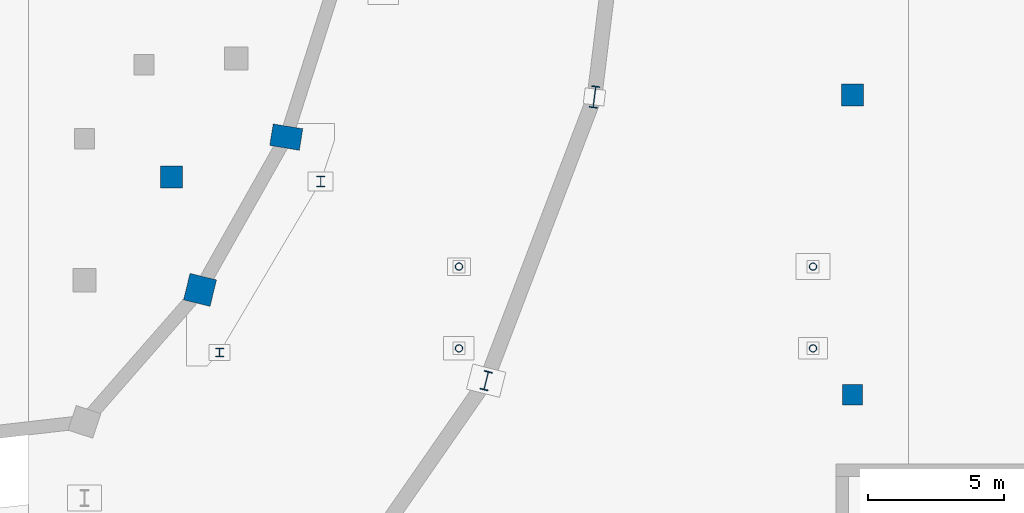
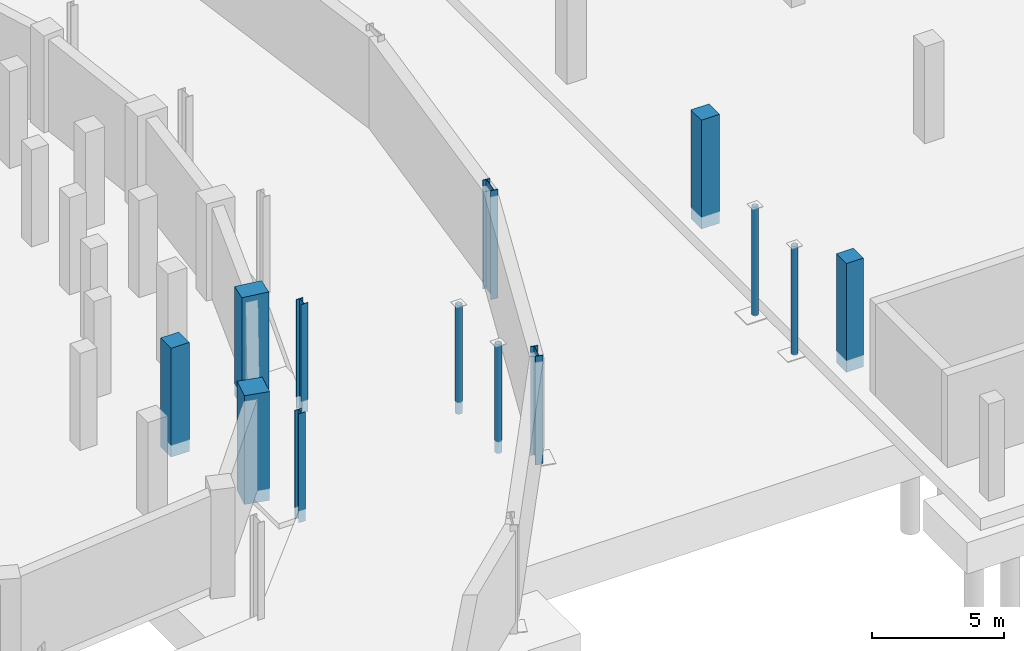
# One storey, part 28 of 55: 13 columns.
"""IFC4 building model written with IfcOpenShell, lengths in metres."""

from ifc_helpers import new_model, si_unit, direction, frame, origin, origin_2d, place, context, subcontext, project, spatial, rectangle, hollow_circle, i_section, extrude, material, material_profile, profile_set, type_object, element, save


model = new_model("IFC4")

# Units and contexts
model_context = context("Model", 3, precision=1e-05, world=origin(), true_north=direction((0.0, 1.0)))
body_context = subcontext(model_context, "Body", "Model", "MODEL_VIEW")
ifc_project = project(units=[si_unit("LENGTHUNIT", "METRE"), si_unit("AREAUNIT", "SQUARE_METRE"), si_unit("VOLUMEUNIT", "CUBIC_METRE"), si_unit("PLANEANGLEUNIT", "RADIAN"), si_unit("MASSUNIT", "GRAM", prefix="KILO")], contexts=[model_context])

# Site, building, storey
site_placement = place(None, origin())
site = spatial("IfcSite", under=ifc_project, at=site_placement, CompositionType="ELEMENT")
building_placement = place(site_placement, origin())
building = spatial("IfcBuilding", under=site, at=building_placement, Name="Sohan Crest Arena", CompositionType="ELEMENT")
storey_placement = place(building_placement, frame((0.0, 0.0, -4.5)))
storey = spatial("IfcBuildingStorey", under=building, at=storey_placement, Name="B1", CompositionType="ELEMENT", Elevation=-4.5)

# Columns
ifc_material_1 = material(Name="Concrete C40/50", Category="concrete")
ifc_material_profile_1 = material_profile(ifc_material_1, rectangle(XDim=0.75, YDim=0.75, at=origin_2d()), Name="RC 750x750")
ifc_profile_set_1 = profile_set([ifc_material_profile_1], Name="Concrete C40/50")
column_type_1 = type_object("IfcColumnType", Name="STR-COL-C04", PredefinedType="COLUMN", material=ifc_profile_set_1)
column_1_placement = place(storey_placement, frame((196.199951171875, 56.0, -0.550048828125), z_axis=(0.0, 0.0, 1.0), x_axis=(1.0, 0.0, 0.0)))
element("IfcColumn", 1, at=column_1_placement, inside=storey, type_object=column_type_1, Name="Structural column COL-V4S-12-B1", PredefinedType="COLUMN", context=body_context, shape_type="SweptSolid", body=[
    extrude(rectangle(XDim=0.75, YDim=0.75, at=origin_2d()), origin(), (0.0, 0.0, 1.0), 5.050048828125),
])
ifc_material_profile_2 = material_profile(ifc_material_1, rectangle(XDim=0.800048828125, YDim=0.800048828125, at=origin_2d()), Name="RC 800x800")
ifc_profile_set_2 = profile_set([ifc_material_profile_2], Name="Concrete C40/50")
column_type_2 = type_object("IfcColumnType", Name="STR-COL-C05", PredefinedType="COLUMN", material=ifc_profile_set_2)
for number, where, z_axis, x_axis, name in (
    (2, (171.194091796875, 63.988037109375, -0.550048828125), (0.0, 0.0, 1.0), (1.0, 0.0, 0.0), "Structural column COL-V1M-21-B1"),
    (3, (196.199951171875, 67.0, -0.550048828125), (0.0, 0.0, 1.0), (1.0, 0.0, 0.0), "Structural column COL-V4S-13-B1"),
):
    element("IfcColumn", number, at=place(storey_placement, frame(where, z_axis=z_axis, x_axis=x_axis)), inside=storey, type_object=column_type_2, Name=name, PredefinedType="COLUMN", context=body_context, shape_type="SweptSolid", body=[
        extrude(rectangle(XDim=0.800048828125, YDim=0.800048828125, at=origin_2d()), origin(), (0.0, 0.0, 1.0), 5.050048828125),
    ])
ifc_material_profile_3 = material_profile(ifc_material_1, rectangle(XDim=1.0, YDim=1.0, at=origin_2d()), Name="RC 1000x1000")
ifc_profile_set_3 = profile_set([ifc_material_profile_3], Name="Concrete C40/50")
column_type_3 = type_object("IfcColumnType", Name="STR-COL-C09", PredefinedType="COLUMN", material=ifc_profile_set_3)
column_2_placement = place(storey_placement, frame((172.242919921875, 59.845947265625, -0.550048828125), z_axis=(0.0, 0.0, 1.0), x_axis=(-0.971549119998, 0.236838146066, 0.0)))
element("IfcColumn", 4, at=column_2_placement, inside=storey, type_object=column_type_3, Name="Structural column COL-V1R-21-B1", PredefinedType="COLUMN", context=body_context, shape_type="SweptSolid", body=[
    extrude(rectangle(XDim=1.0, YDim=1.0, at=origin_2d()), origin(), (0.0, 0.0, 1.0), 5.050048828125),
])
ifc_material_profile_4 = material_profile(ifc_material_1, rectangle(XDim=1.10009765625, YDim=0.800048828125, at=origin_2d()), Name="RC 1100x800")
ifc_profile_set_4 = profile_set([ifc_material_profile_4], Name="Concrete C40/50")
column_type_4 = type_object("IfcColumnType", Name="STR-COL-C10", PredefinedType="COLUMN", material=ifc_profile_set_4)
column_3_placement = place(storey_placement, frame((175.408935546875, 65.455078125, -0.550048828125), z_axis=(0.0, 0.0, 1.0), x_axis=(-0.987136265073, 0.159881187692, 0.0)))
element("IfcColumn", 5, at=column_3_placement, inside=storey, type_object=column_type_4, Name="Structural column COL-V1R-22-B1", PredefinedType="COLUMN", context=body_context, shape_type="SweptSolid", body=[
    extrude(rectangle(XDim=1.10009765625, YDim=0.800048828125, at=origin_2d()), origin(), (0.0, 0.0, 1.0), 5.050048828125),
])
ifc_material_2 = material(Name="Steel S355", Category="steel")
ifc_material_profile_5 = material_profile(ifc_material_2, i_section(OverallWidth=0.300048828125, OverallDepth=0.300048828125, WebThickness=0.010986328125, FlangeThickness=0.01904296875, at=origin_2d()), Name="HEB 300")
ifc_profile_set_5 = profile_set([ifc_material_profile_5], Name="Steel S355")
column_type_5 = type_object("IfcColumnType", Name="STR-COL-C17", PredefinedType="COLUMN", material=ifc_profile_set_5)
column_4_placement = place(storey_placement, frame((172.9609375, 57.547119140625, -0.550048828125), z_axis=(0.0, 0.0, 1.0), x_axis=(1.0, 0.0, 0.0)))
element("IfcColumn", 6, at=column_4_placement, inside=storey, type_object=column_type_5, Name="Structural column COL-V2I-21-B1", PredefinedType="COLUMN", context=body_context, shape_type="SweptSolid", body=[
    extrude(i_section(OverallWidth=0.300048828125, OverallDepth=0.300048828125, WebThickness=0.010986328125, FlangeThickness=0.01904296875, at=origin_2d()), origin(), (0.0, 0.0, 1.0), 5.050048828125),
])
ifc_material_profile_6 = material_profile(ifc_material_2, i_section(OverallWidth=0.300048828125, OverallDepth=0.39990234375, WebThickness=0.013427734375, FlangeThickness=0.02392578125, at=origin_2d()), Name="HEB 400")
ifc_profile_set_6 = profile_set([ifc_material_profile_6], Name="Steel S355")
column_type_6 = type_object("IfcColumnType", Name="STR-COL-C18", PredefinedType="COLUMN", material=ifc_profile_set_6)
column_5_placement = place(storey_placement, frame((176.674072265625, 63.824951171875, -0.550048828125), z_axis=(0.0, 0.0, 1.0), x_axis=(1.0, 0.0, 0.0)))
element("IfcColumn", 7, at=column_5_placement, inside=storey, type_object=column_type_6, Name="Structural column COL-V2I-22-B1", PredefinedType="COLUMN", context=body_context, shape_type="SweptSolid", body=[
    extrude(i_section(OverallWidth=0.300048828125, OverallDepth=0.39990234375, WebThickness=0.013427734375, FlangeThickness=0.02392578125, at=origin_2d()), origin(), (0.0, 0.0, 1.0), 5.050048828125),
])
ifc_material_profile_7 = material_profile(ifc_material_2, i_section(OverallWidth=0.300048828125, OverallDepth=0.699951171875, WebThickness=0.01708984375, FlangeThickness=0.031982421875, at=origin_2d()), Name="HEB 700")
ifc_profile_set_7 = profile_set([ifc_material_profile_7], Name="Steel S355")
column_type_7 = type_object("IfcColumnType", Name="STR-COL-C21", PredefinedType="COLUMN", material=ifc_profile_set_7)
column_6_placement = place(storey_placement, frame((182.7490234375, 56.510986328125, -0.550048828125), z_axis=(0.0, 0.0, 1.0), x_axis=(-0.969445349895, 0.245307385879, 0.0)))
element("IfcColumn", 8, at=column_6_placement, inside=storey, type_object=column_type_7, Name="Structural column COL-V2O-22-B1", PredefinedType="COLUMN", context=body_context, shape_type="SweptSolid", body=[
    extrude(i_section(OverallWidth=0.300048828125, OverallDepth=0.699951171875, WebThickness=0.01708984375, FlangeThickness=0.031982421875, at=origin_2d()), origin(), (0.0, 0.0, 1.0), 5.050048828125),
])
ifc_material_profile_8 = material_profile(ifc_material_2, i_section(OverallWidth=0.300048828125, OverallDepth=0.800048828125, WebThickness=0.017578125, FlangeThickness=0.032958984375, at=origin_2d()), Name="HEB 800")
ifc_profile_set_8 = profile_set([ifc_material_profile_8], Name="Steel S355")
column_type_8 = type_object("IfcColumnType", Name="STR-COL-C22", PredefinedType="COLUMN", material=ifc_profile_set_8)
column_7_placement = place(storey_placement, frame((186.72509765625, 66.929931640625, -0.550048828125), z_axis=(0.0, 0.0, 1.0), x_axis=(-0.992331937885, 0.12360147674, 0.0)))
element("IfcColumn", 9, at=column_7_placement, inside=storey, type_object=column_type_8, Name="Structural column COL-V2O-23-B1", PredefinedType="COLUMN", context=body_context, shape_type="SweptSolid", body=[
    extrude(i_section(OverallWidth=0.300048828125, OverallDepth=0.800048828125, WebThickness=0.017578125, FlangeThickness=0.032958984375, at=origin_2d()), origin(), (0.0, 0.0, 1.0), 5.050048828125),
])
ifc_material_profile_9 = material_profile(ifc_material_2, hollow_circle(Radius=0.136474609375, WallThickness=0.012451171875, at=origin_2d()), Name="CHS 273x12.5")
ifc_profile_set_9 = profile_set([ifc_material_profile_9], Name="Steel S355")
column_type_9 = type_object("IfcColumnType", Name="STR-COL-C25", PredefinedType="COLUMN", material=ifc_profile_set_9)
for number, where, z_axis, x_axis, name in (
    (10, (181.75, 57.699951171875, -0.550048828125), (0.0, 0.0, 1.0), (1.0, 0.0, 0.0), "Structural column COL-BC-BR-E1-1-B1"),
    (11, (181.75, 60.699951171875, -0.550048828125), (0.0, 0.0, 1.0), (1.0, 0.0, 0.0), "Structural column COL-BC-BR-E1-2-B1"),
    (12, (194.75, 57.699951171875, -0.550048828125), (0.0, 0.0, 1.0), (1.0, 0.0, 0.0), "Structural column COL-BC-BR-E1-3-B1"),
    (13, (194.75, 60.699951171875, -0.550048828125), (0.0, 0.0, 1.0), (1.0, 0.0, 0.0), "Structural column COL-BC-BR-E1-4-B1"),
):
    element("IfcColumn", number, at=place(storey_placement, frame(where, z_axis=z_axis, x_axis=x_axis)), inside=storey, type_object=column_type_9, Name=name, PredefinedType="COLUMN", context=body_context, shape_type="SweptSolid", body=[
        extrude(hollow_circle(Radius=0.136474609375, WallThickness=0.012451171875, at=origin_2d()), origin(), (0.0, 0.0, 1.0), 5.050048828125),
    ])

save(model, "model.ifc")
